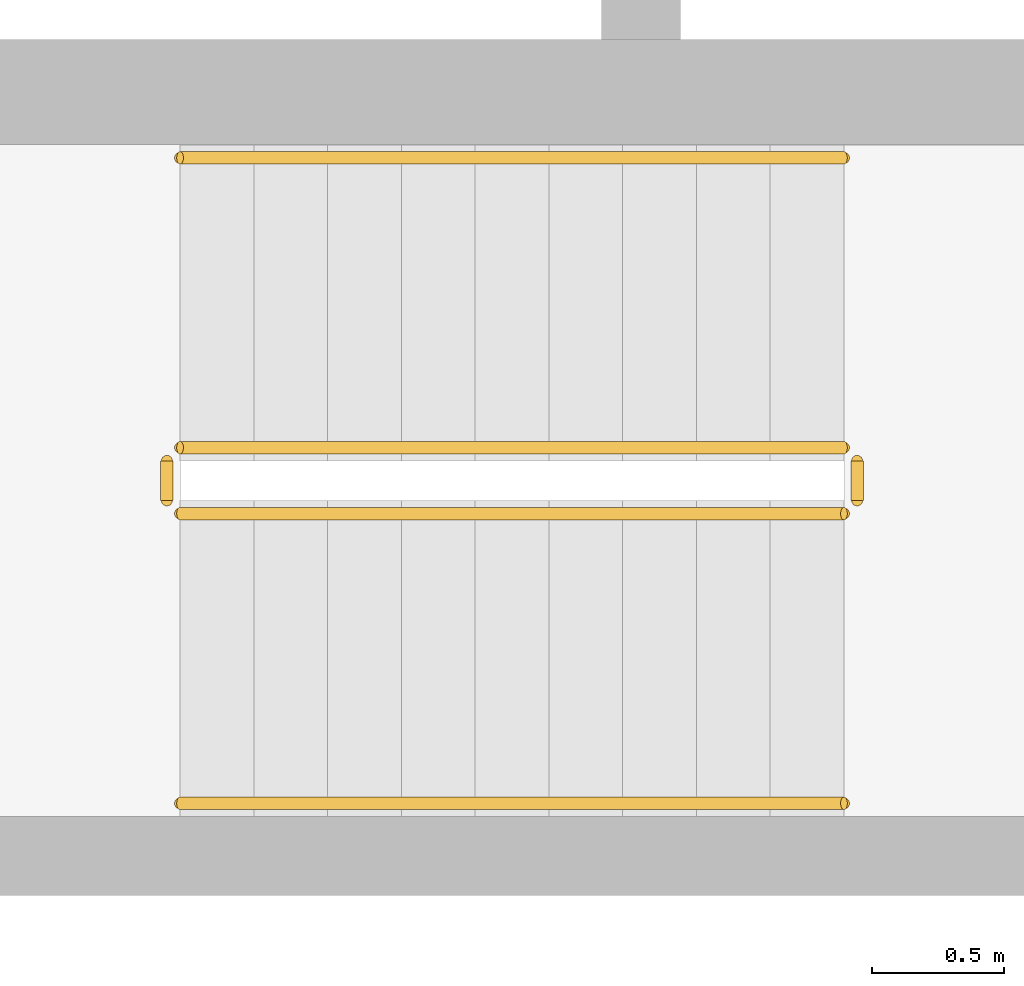
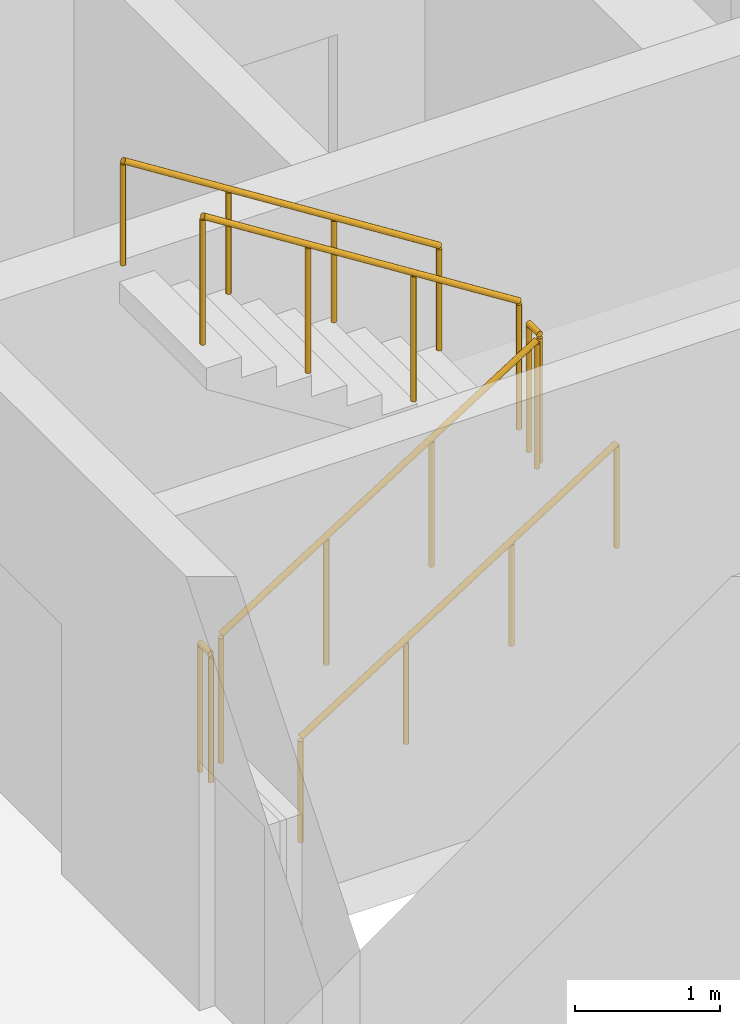
# One storey, part 13 of 15: 6 railings.
"""IFC4 building model written with IfcOpenShell, lengths in metres."""

from ifc_helpers import new_model, si_unit, direction, frame, origin, origin_2d, place, context, subcontext, project, spatial, circle, extrude, material, type_object, element, save


model = new_model("IFC4")

# Units and contexts
model_context = context("Model", 3, precision=1e-05, world=origin(), true_north=direction((0.0, 1.0)))
body_context = subcontext(model_context, "Body", "Model", "MODEL_VIEW")
ifc_project = project(units=[si_unit("LENGTHUNIT", "METRE"), si_unit("AREAUNIT", "SQUARE_METRE"), si_unit("VOLUMEUNIT", "CUBIC_METRE"), si_unit("PLANEANGLEUNIT", "RADIAN"), si_unit("MASSUNIT", "GRAM", prefix="KILO")], contexts=[model_context])

# Site, building, storey
site_placement = place(None, origin())
site = spatial("IfcSite", under=ifc_project, at=site_placement, CompositionType="ELEMENT")
building_placement = place(site_placement, origin())
building = spatial("IfcBuilding", under=site, at=building_placement, Name="Ostrand Prow Hotel Tower", CompositionType="ELEMENT")
storey_placement = place(building_placement, frame((0.0, 0.0, 231.449951171875)))
storey = spatial("IfcBuildingStorey", under=building, at=storey_placement, Name="L58", CompositionType="ELEMENT", Elevation=231.449951171875)

# Railings
ifc_material_1 = material(Name="Painted steel", Category="steel")
railing_type_1 = type_object("IfcRailingType", Name="Stair guard 1100", PredefinedType="GUARDRAIL", material=ifc_material_1)
railing_1_placement = place(storey_placement, frame((57.199951171875, -11.75, 0.177490234375)))
element("IfcRailing", 1, at=railing_1_placement, inside=storey, type_object=railing_type_1, Name="L58 ST2C stair guard 1", PredefinedType="GUARDRAIL", context=body_context, shape_type="SweptSolid", body=[
    extrude(circle(Radius=0.02392578125, at=origin_2d()), frame((0.0, 0.0, 1.076171875), z_axis=(0.84456994832, 0.0, 0.535445237532), x_axis=(0.0, 1.0, 0.0)), (0.0, 0.0, 1.0), 2.98388671875),
    extrude(circle(Radius=0.02099609375, at=origin_2d()), origin(), (0.0, 0.0, 1.0), 1.052001953125),
    extrude(circle(Radius=0.02099609375, at=origin_2d()), frame((0.840087890625, 0.0, 0.532470703125)), (0.0, 0.0, 1.0), 1.052001953125),
    extrude(circle(Radius=0.02099609375, at=origin_2d()), frame((1.679931640625, 0.0, 1.065185546875)), (0.0, 0.0, 1.0), 1.052001953125),
    extrude(circle(Radius=0.02099609375, at=origin_2d()), frame((2.52001953125, 0.0, 1.59765625)), (0.0, 0.0, 1.0), 1.052001953125),
])
railing_2_placement = place(storey_placement, frame((59.77001953125, -11.699951171875, 1.775146484375)))
element("IfcRailing", 2, at=railing_2_placement, inside=storey, type_object=railing_type_1, Name="L58 ST2C stair guard 2", PredefinedType="GUARDRAIL", context=body_context, shape_type="SweptSolid", body=[
    extrude(circle(Radius=0.02392578125, at=origin_2d()), frame((0.0, 0.0, 1.076171875), z_axis=(0.0, 1.0, 0.0), x_axis=(-1.0, 0.0, 0.0)), (0.0, 0.0, 1.0), 0.14990234375),
    extrude(circle(Radius=0.02099609375, at=origin_2d()), origin(), (0.0, 0.0, 1.0), 1.052001953125),
    extrude(circle(Radius=0.02099609375, at=origin_2d()), frame((0.0, 0.14990234375, 0.0)), (0.0, 0.0, 1.0), 1.052001953125),
])
railing_3_placement = place(storey_placement, frame((59.719970703125, -11.5, 1.95263671875)))
element("IfcRailing", 3, at=railing_3_placement, inside=storey, type_object=railing_type_1, Name="L58 ST2C stair guard 3", PredefinedType="GUARDRAIL", context=body_context, shape_type="SweptSolid", body=[
    extrude(circle(Radius=0.02392578125, at=origin_2d()), frame((0.0, 0.0, 1.076171875), z_axis=(-0.84460694969, 0.0, 0.535386869969), x_axis=(0.0, -1.0, 0.0)), (0.0, 0.0, 1.0), 2.983642578125),
    extrude(circle(Radius=0.02099609375, at=origin_2d()), origin(), (0.0, 0.0, 1.0), 1.052001953125),
    extrude(circle(Radius=0.02099609375, at=origin_2d()), frame((-0.840087890625, 0.0, 0.532470703125)), (0.0, 0.0, 1.0), 1.052001953125),
    extrude(circle(Radius=0.02099609375, at=origin_2d()), frame((-1.679931640625, 0.0, 1.06494140625)), (0.0, 0.0, 1.0), 1.052001953125),
    extrude(circle(Radius=0.02099609375, at=origin_2d()), frame((-2.52001953125, 0.0, 1.597412109375)), (0.0, 0.0, 1.0), 1.052001953125),
])
railing_4_placement = place(storey_placement, frame((57.14990234375, -11.699951171875, 0.0)))
element("IfcRailing", 4, at=railing_4_placement, inside=storey, type_object=railing_type_1, Name="L58 ST2C stair guard 4", PredefinedType="GUARDRAIL", context=body_context, shape_type="SweptSolid", body=[
    extrude(circle(Radius=0.02392578125, at=origin_2d()), frame((0.0, 0.0, 1.076171875), z_axis=(0.0, 1.0, 0.0), x_axis=(-1.0, 0.0, 0.0)), (0.0, 0.0, 1.0), 0.14990234375),
    extrude(circle(Radius=0.02099609375, at=origin_2d()), origin(), (0.0, 0.0, 1.0), 1.052001953125),
    extrude(circle(Radius=0.02099609375, at=origin_2d()), frame((0.0, 0.14990234375, 0.0)), (0.0, 0.0, 1.0), 1.052001953125),
])
ifc_material_2 = material(Name="Stainless steel", Category="steel")
railing_type_2 = type_object("IfcRailingType", Name="Stair handrail 900", PredefinedType="HANDRAIL", material=ifc_material_2)
railing_5_placement = place(storey_placement, frame((57.199951171875, -12.85009765625, 0.177490234375)))
element("IfcRailing", 5, at=railing_5_placement, inside=storey, type_object=railing_type_2, Name="L58 ST2C stair handrail 1", PredefinedType="HANDRAIL", context=body_context, shape_type="SweptSolid", body=[
    extrude(circle(Radius=0.02392578125, at=origin_2d()), frame((0.0, 0.0, 0.8759765625), z_axis=(0.84456994832, 0.0, 0.535445237532), x_axis=(0.0, 1.0, 0.0)), (0.0, 0.0, 1.0), 2.98388671875),
    extrude(circle(Radius=0.02099609375, at=origin_2d()), origin(), (0.0, 0.0, 1.0), 0.851806640625),
    extrude(circle(Radius=0.02099609375, at=origin_2d()), frame((0.840087890625, 0.0, 0.532470703125)), (0.0, 0.0, 1.0), 0.851806640625),
    extrude(circle(Radius=0.02099609375, at=origin_2d()), frame((1.679931640625, 0.0, 1.065185546875)), (0.0, 0.0, 1.0), 0.851806640625),
    extrude(circle(Radius=0.02099609375, at=origin_2d()), frame((2.52001953125, 0.0, 1.59765625)), (0.0, 0.0, 1.0), 0.851806640625),
])
railing_6_placement = place(storey_placement, frame((59.719970703125, -10.39990234375, 1.95263671875)))
element("IfcRailing", 6, at=railing_6_placement, inside=storey, type_object=railing_type_2, Name="L58 ST2C stair handrail 2", PredefinedType="HANDRAIL", context=body_context, shape_type="SweptSolid", body=[
    extrude(circle(Radius=0.02392578125, at=origin_2d()), frame((0.0, 0.0, 0.8759765625), z_axis=(-0.84460694969, 0.0, 0.535386869969), x_axis=(0.0, -1.0, 0.0)), (0.0, 0.0, 1.0), 2.983642578125),
    extrude(circle(Radius=0.02099609375, at=origin_2d()), origin(), (0.0, 0.0, 1.0), 0.851806640625),
    extrude(circle(Radius=0.02099609375, at=origin_2d()), frame((-0.840087890625, 0.0, 0.532470703125)), (0.0, 0.0, 1.0), 0.851806640625),
    extrude(circle(Radius=0.02099609375, at=origin_2d()), frame((-1.679931640625, 0.0, 1.06494140625)), (0.0, 0.0, 1.0), 0.851806640625),
    extrude(circle(Radius=0.02099609375, at=origin_2d()), frame((-2.52001953125, 0.0, 1.597412109375)), (0.0, 0.0, 1.0), 0.851806640625),
])

save(model, "model.ifc")
